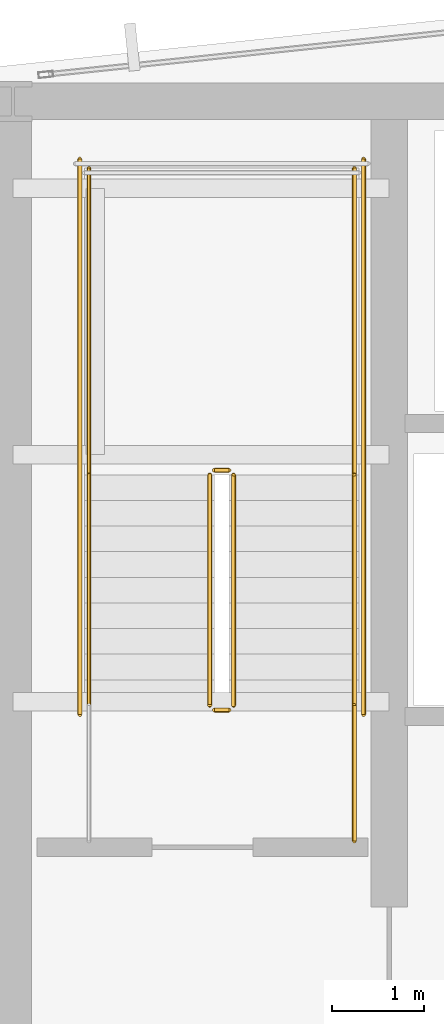
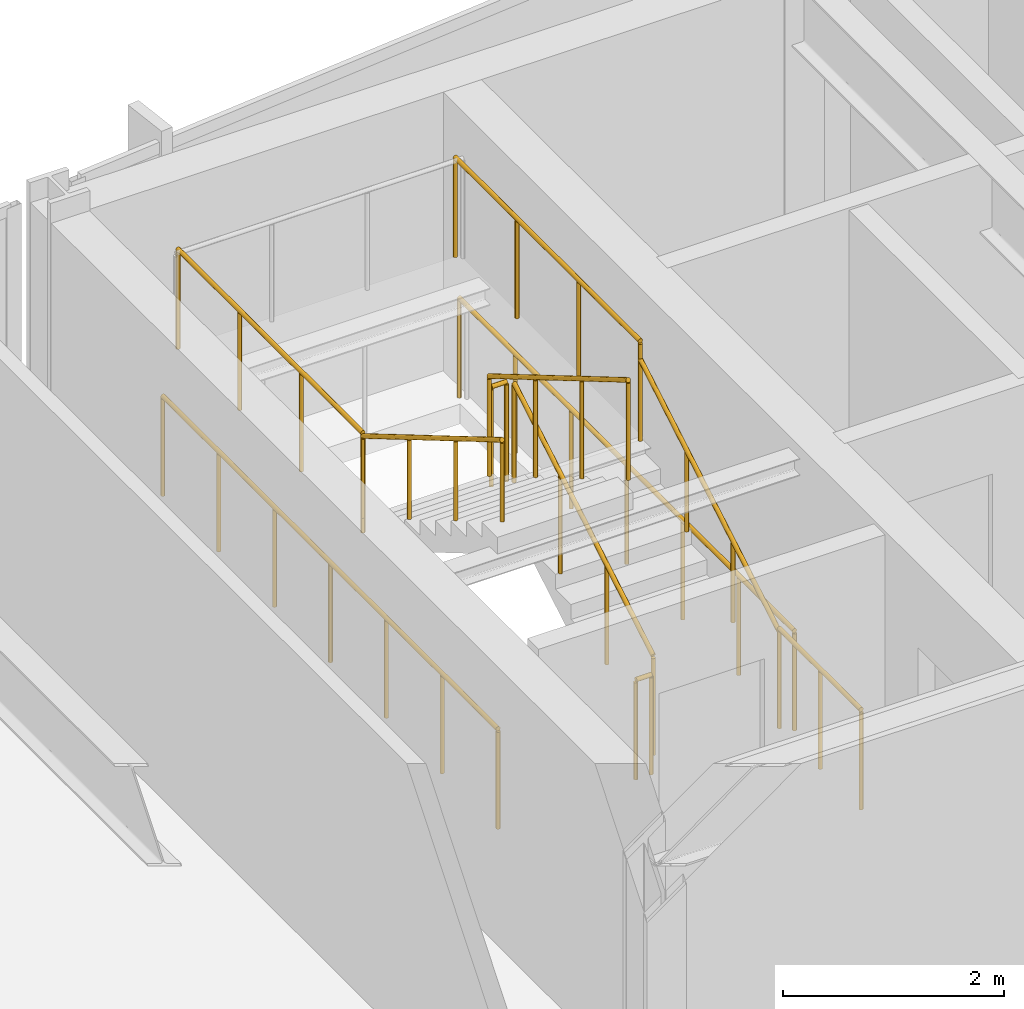
# One storey, part 31 of 33: 11 railings.
"""IFC4 building model written with IfcOpenShell, lengths in metres."""

from ifc_helpers import new_model, si_unit, direction, frame, origin, origin_2d, place, context, subcontext, project, spatial, circle, extrude, material, layer, layer_set, type_object, element, save


model = new_model("IFC4")

# Units and contexts
model_context = context("Model", 3, precision=1e-05, world=origin(), true_north=direction((0.0, 1.0)))
body_context = subcontext(model_context, "Body", "Model", "MODEL_VIEW")
ifc_project = project(units=[si_unit("LENGTHUNIT", "METRE"), si_unit("AREAUNIT", "SQUARE_METRE"), si_unit("VOLUMEUNIT", "CUBIC_METRE"), si_unit("PLANEANGLEUNIT", "RADIAN"), si_unit("MASSUNIT", "GRAM", prefix="KILO")], contexts=[model_context])

# Site, building, storey
site_placement = place(None, origin())
site = spatial("IfcSite", under=ifc_project, at=site_placement, CompositionType="ELEMENT")
building_placement = place(site_placement, origin())
building = spatial("IfcBuilding", under=site, at=building_placement, Name="Yelkora Congress Tower", CompositionType="ELEMENT")
storey_placement = place(building_placement, frame((0.0, 0.0, 224.300048828125)))
storey = spatial("IfcBuildingStorey", under=building, at=storey_placement, Name="L62", CompositionType="ELEMENT", Elevation=224.300048828125)

# Railings
ifc_material_1 = material(Name="Painted galvanised steel stair well guard with vertical infill", Category="steel")
ifc_layer_1 = layer(ifc_material_1, 0.06005859375)
ifc_layer_set_1 = layer_set([ifc_layer_1], Name="Painted galvanised steel stair well guard with vertical infill")
railing_type_1 = type_object("IfcRailingType", Name="RAIL-STAIR-GUARD-1120", PredefinedType="GUARDRAIL", material=ifc_layer_set_1)
railing_1_placement = place(storey_placement, frame((25.449951171875, 39.60009765625, 0.1650390625)))
element("IfcRailing", 1, at=railing_1_placement, inside=storey, type_object=railing_type_1, Name="ST-01 L62 Stair Well Guardrail 1", PredefinedType="GUARDRAIL", context=body_context, shape_type="SweptSolid", body=[
    extrude(circle(Radius=0.02392578125, at=origin_2d()), frame((0.0, 0.0, 1.09619140625), z_axis=(0.0, 0.861560626758, 0.507654692109), x_axis=(-1.0, 0.0, 0.0)), (0.0, 0.0, 1.0), 2.925048828125),
    extrude(circle(Radius=0.02099609375, at=origin_2d()), origin(), (0.0, 0.0, 1.0), 1.072021484375),
    extrude(circle(Radius=0.02099609375, at=origin_2d()), frame((0.0, 0.840087890625, 0.494873046875)), (0.0, 0.0, 1.0), 1.072021484375),
    extrude(circle(Radius=0.02099609375, at=origin_2d()), frame((0.0, 1.679931640625, 0.989990234375)), (0.0, 0.0, 1.0), 1.072021484375),
    extrude(circle(Radius=0.02099609375, at=origin_2d()), frame((0.0, 2.52001953125, 1.48486328125)), (0.0, 0.0, 1.0), 1.072021484375),
])
railing_2_placement = place(storey_placement, frame((25.39990234375, 42.169921875, 1.64990234375)))
element("IfcRailing", 2, at=railing_2_placement, inside=storey, type_object=railing_type_1, Name="ST-01 L62 Stair Well Guardrail 2", PredefinedType="GUARDRAIL", context=body_context, shape_type="SweptSolid", body=[
    extrude(circle(Radius=0.02392578125, at=origin_2d()), frame((0.0, 0.0, 1.09619140625), z_axis=(-1.0, 0.0, 0.0), x_axis=(0.0, -1.0, 0.0)), (0.0, 0.0, 1.0), 0.159912109375),
    extrude(circle(Radius=0.02099609375, at=origin_2d()), origin(), (0.0, 0.0, 1.0), 1.072021484375),
    extrude(circle(Radius=0.02099609375, at=origin_2d()), frame((-0.159912109375, 0.0, 0.0)), (0.0, 0.0, 1.0), 1.072021484375),
])
for number, where, name in (
    (3, (26.77001953125, 42.1201171875, 1.64990234375), "ST-01 L62 Stair Well Guardrail 3"),
    (4, (23.8701171875, 42.1201171875, 1.64990234375), "ST-01 L62 Stair Well Guardrail 4"),
):
    element("IfcRailing", number, at=place(storey_placement, frame(where)), inside=storey, type_object=railing_type_1, Name=name, PredefinedType="GUARDRAIL", context=body_context, shape_type="SweptSolid", body=[
        extrude(circle(Radius=0.02392578125, at=origin_2d()), frame((0.0, 0.0, 1.09619140625), z_axis=(0.0, 1.0, 0.0), x_axis=(-1.0, 0.0, 0.0)), (0.0, 0.0, 1.0), 3.349853515625),
        extrude(circle(Radius=0.02099609375, at=origin_2d()), origin(), (0.0, 0.0, 1.0), 1.072021484375),
        extrude(circle(Radius=0.02099609375, at=origin_2d()), frame((0.0, 1.11669921875, 0.0)), (0.0, 0.0, 1.0), 1.072021484375),
        extrude(circle(Radius=0.02099609375, at=origin_2d()), frame((0.0, 2.233154296875, 0.0)), (0.0, 0.0, 1.0), 1.072021484375),
        extrude(circle(Radius=0.02099609375, at=origin_2d()), frame((0.0, 3.349853515625, 0.0)), (0.0, 0.0, 1.0), 1.072021484375),
    ])
railing_3_placement = place(storey_placement, frame((25.18994140625, 42.1201171875, 1.81494140625)))
element("IfcRailing", 5, at=railing_3_placement, inside=storey, type_object=railing_type_1, Name="ST-01 L62 Stair Well Guardrail 6", PredefinedType="GUARDRAIL", context=body_context, shape_type="SweptSolid", body=[
    extrude(circle(Radius=0.02392578125, at=origin_2d()), frame((0.0, 0.0, 1.09619140625), z_axis=(0.0, -0.86152411907, 0.507716645641), x_axis=(1.0, 0.0, 0.0)), (0.0, 0.0, 1.0), 2.925048828125),
    extrude(circle(Radius=0.02099609375, at=origin_2d()), origin(), (0.0, 0.0, 1.0), 1.072021484375),
    extrude(circle(Radius=0.02099609375, at=origin_2d()), frame((0.0, -0.840087890625, 0.4951171875)), (0.0, 0.0, 1.0), 1.072021484375),
    extrude(circle(Radius=0.02099609375, at=origin_2d()), frame((0.0, -1.679931640625, 0.989990234375)), (0.0, 0.0, 1.0), 1.072021484375),
    extrude(circle(Radius=0.02099609375, at=origin_2d()), frame((0.0, -2.52001953125, 1.485107421875)), (0.0, 0.0, 1.0), 1.072021484375),
])
railing_4_placement = place(storey_placement, frame((25.39990234375, 39.550048828125, 0.0)))
element("IfcRailing", 6, at=railing_4_placement, inside=storey, type_object=railing_type_1, Name="ST-01 L62 Stair Well Guardrail 7", PredefinedType="GUARDRAIL", context=body_context, shape_type="SweptSolid", body=[
    extrude(circle(Radius=0.02392578125, at=origin_2d()), frame((0.0, 0.0, 1.09619140625), z_axis=(-1.0, 0.0, 0.0), x_axis=(0.0, -1.0, 0.0)), (0.0, 0.0, 1.0), 0.159912109375),
    extrude(circle(Radius=0.02099609375, at=origin_2d()), origin(), (0.0, 0.0, 1.0), 1.072021484375),
    extrude(circle(Radius=0.02099609375, at=origin_2d()), frame((-0.159912109375, 0.0, 0.0)), (0.0, 0.0, 1.0), 1.072021484375),
])
railing_5_placement = place(storey_placement, frame((26.77001953125, 38.1201171875, 0.0)))
element("IfcRailing", 7, at=railing_5_placement, inside=storey, type_object=railing_type_1, Name="ST-01 L62 Stair Well Guardrail 8", PredefinedType="GUARDRAIL", context=body_context, shape_type="SweptSolid", body=[
    extrude(circle(Radius=0.02392578125, at=origin_2d()), frame((0.0, 0.0, 1.09619140625), z_axis=(0.0, 1.0, 0.0), x_axis=(-1.0, 0.0, 0.0)), (0.0, 0.0, 1.0), 1.47998046875),
    extrude(circle(Radius=0.02099609375, at=origin_2d()), origin(), (0.0, 0.0, 1.0), 1.072021484375),
    extrude(circle(Radius=0.02099609375, at=origin_2d()), frame((0.0, 0.739990234375, 0.0)), (0.0, 0.0, 1.0), 1.072021484375),
    extrude(circle(Radius=0.02099609375, at=origin_2d()), frame((0.0, 1.47998046875, 0.0)), (0.0, 0.0, 1.0), 1.072021484375),
])
for number, where, name in (
    (8, (26.8701171875, 39.5, 0.0), "ST-01 L62 Stair Well Guardrail 10"),
    (9, (23.77001953125, 39.5, 0.0), "ST-01 L62 Stair Well Guardrail 11"),
):
    element("IfcRailing", number, at=place(storey_placement, frame(where)), inside=storey, type_object=railing_type_1, Name=name, PredefinedType="GUARDRAIL", context=body_context, shape_type="SweptSolid", body=[
        extrude(circle(Radius=0.02392578125, at=origin_2d()), frame((0.0, 0.0, 1.09619140625), z_axis=(0.0, 1.0, 0.0), x_axis=(-1.0, 0.0, 0.0)), (0.0, 0.0, 1.0), 6.070068359375),
        extrude(circle(Radius=0.02099609375, at=origin_2d()), origin(), (0.0, 0.0, 1.0), 1.072021484375),
        extrude(circle(Radius=0.02099609375, at=origin_2d()), frame((0.0, 1.01171875, 0.0)), (0.0, 0.0, 1.0), 1.072021484375),
        extrude(circle(Radius=0.02099609375, at=origin_2d()), frame((0.0, 2.0234375, 0.0)), (0.0, 0.0, 1.0), 1.072021484375),
        extrude(circle(Radius=0.02099609375, at=origin_2d()), frame((0.0, 3.03515625, 0.0)), (0.0, 0.0, 1.0), 1.072021484375),
        extrude(circle(Radius=0.02099609375, at=origin_2d()), frame((0.0, 4.046630859375, 0.0)), (0.0, 0.0, 1.0), 1.072021484375),
        extrude(circle(Radius=0.02099609375, at=origin_2d()), frame((0.0, 5.058349609375, 0.0)), (0.0, 0.0, 1.0), 1.072021484375),
        extrude(circle(Radius=0.02099609375, at=origin_2d()), frame((0.0, 6.070068359375, 0.0)), (0.0, 0.0, 1.0), 1.072021484375),
    ])
ifc_material_2 = material(Name="Brushed stainless steel tubular handrail", Category="steel")
ifc_layer_2 = layer(ifc_material_2, 0.050048828125)
ifc_layer_set_2 = layer_set([ifc_layer_2], Name="Brushed stainless steel tubular handrail")
railing_type_2 = type_object("IfcRailingType", Name="RAIL-STAIR-HAND-920", PredefinedType="HANDRAIL", material=ifc_layer_set_2)
railing_6_placement = place(storey_placement, frame((26.77001953125, 39.60009765625, 0.1650390625)))
element("IfcRailing", 10, at=railing_6_placement, inside=storey, type_object=railing_type_2, Name="ST-01 L62 Pitch Handrail 1", PredefinedType="HANDRAIL", context=body_context, shape_type="SweptSolid", body=[
    extrude(circle(Radius=0.02392578125, at=origin_2d()), frame((0.0, 0.0, 0.89599609375), z_axis=(0.0, 0.861560626758, 0.507654692109), x_axis=(-1.0, 0.0, 0.0)), (0.0, 0.0, 1.0), 2.925048828125),
    extrude(circle(Radius=0.02099609375, at=origin_2d()), origin(), (0.0, 0.0, 1.0), 0.871826171875),
    extrude(circle(Radius=0.02099609375, at=origin_2d()), frame((0.0, 0.840087890625, 0.494873046875)), (0.0, 0.0, 1.0), 0.871826171875),
    extrude(circle(Radius=0.02099609375, at=origin_2d()), frame((0.0, 1.679931640625, 0.989990234375)), (0.0, 0.0, 1.0), 0.871826171875),
    extrude(circle(Radius=0.02099609375, at=origin_2d()), frame((0.0, 2.52001953125, 1.48486328125)), (0.0, 0.0, 1.0), 0.871826171875),
])
railing_7_placement = place(storey_placement, frame((23.8701171875, 42.1201171875, 1.81494140625)))
element("IfcRailing", 11, at=railing_7_placement, inside=storey, type_object=railing_type_2, Name="ST-01 L62 Pitch Handrail 2", PredefinedType="HANDRAIL", context=body_context, shape_type="SweptSolid", body=[
    extrude(circle(Radius=0.02392578125, at=origin_2d()), frame((0.0, 0.0, 0.89599609375), z_axis=(0.0, -0.86152411907, 0.507716645641), x_axis=(1.0, 0.0, 0.0)), (0.0, 0.0, 1.0), 2.925048828125),
    extrude(circle(Radius=0.02099609375, at=origin_2d()), origin(), (0.0, 0.0, 1.0), 0.871826171875),
    extrude(circle(Radius=0.02099609375, at=origin_2d()), frame((0.0, -0.840087890625, 0.4951171875)), (0.0, 0.0, 1.0), 0.871826171875),
    extrude(circle(Radius=0.02099609375, at=origin_2d()), frame((0.0, -1.679931640625, 0.989990234375)), (0.0, 0.0, 1.0), 0.871826171875),
    extrude(circle(Radius=0.02099609375, at=origin_2d()), frame((0.0, -2.52001953125, 1.485107421875)), (0.0, 0.0, 1.0), 0.871826171875),
])

save(model, "model.ifc")
